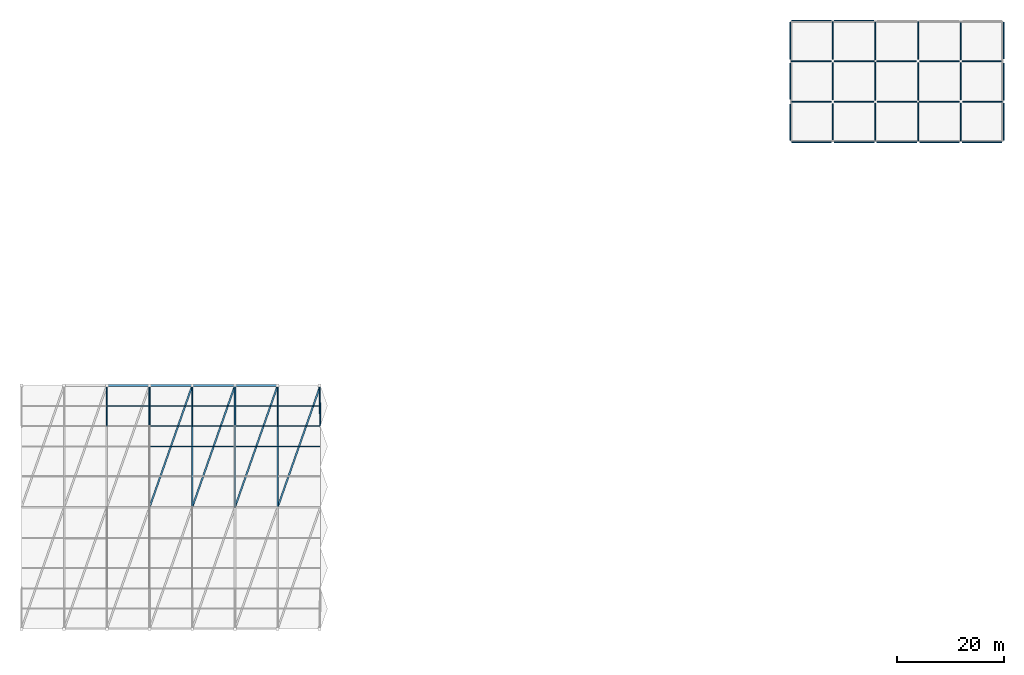
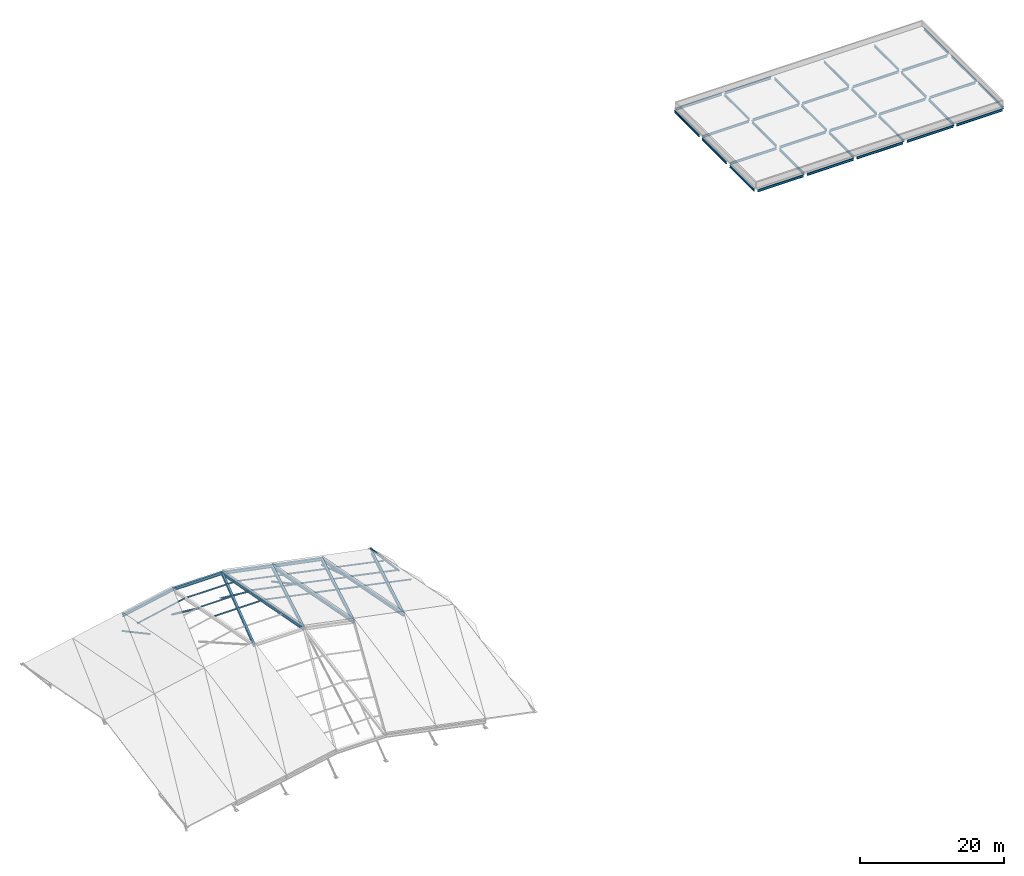
# One storey, part 2 of 9: 46 beams, 19 members.
"""IFC4 building model written with IfcOpenShell, lengths in metres."""

from ifc_helpers import new_model, si_unit, direction, frame, origin, origin_2d, place, context, subcontext, project, spatial, hollow_circle, i_section, extrude, material, material_profile, profile_set, type_object, element, save


model = new_model("IFC4")

# Units and contexts
model_context = context("Model", 3, precision=1e-05, world=origin(), true_north=direction((0.0, 1.0)))
body_context = subcontext(model_context, "Body", "Model", "MODEL_VIEW")
ifc_project = project(units=[si_unit("LENGTHUNIT", "METRE"), si_unit("AREAUNIT", "SQUARE_METRE"), si_unit("VOLUMEUNIT", "CUBIC_METRE"), si_unit("PLANEANGLEUNIT", "RADIAN"), si_unit("MASSUNIT", "GRAM", prefix="KILO")], contexts=[model_context])

# Site, building, storey
site_placement = place(None, origin())
site = spatial("IfcSite", under=ifc_project, at=site_placement, CompositionType="ELEMENT")
building_placement = place(site_placement, origin())
building = spatial("IfcBuilding", under=site, at=building_placement, Name="Khelvaren Railside Concert Hall", CompositionType="ELEMENT")
storey_placement = place(building_placement, frame((0.0, 0.0, 29.39990234375)))
storey = spatial("IfcBuildingStorey", under=building, at=storey_placement, Name="ROOF", CompositionType="ELEMENT", Elevation=29.39990234375)

# Beams
ifc_material = material(Name="Steel S355", Category="steel")
ifc_material_profile_1 = material_profile(ifc_material, i_section(OverallWidth=0.179931640625, OverallDepth=0.39990234375, WebThickness=0.008544921875, FlangeThickness=0.013427734375, FilletRadius=0.02099609375, at=origin_2d()), Name="IPE 400")
ifc_profile_set_1 = profile_set([ifc_material_profile_1], Name="Steel S355")
beam_type_1 = type_object("IfcBeamType", Name="BM29", PredefinedType="BEAM", material=ifc_profile_set_1)
beam_1_placement = place(storey_placement, frame((144.35009765625, 91.199951171875, -0.449951171875), z_axis=(1.0, 0.0, 0.0), x_axis=(0.0, 1.0, 0.0)))
element("IfcBeam", 1, at=beam_1_placement, inside=storey, type_object=beam_type_1, Name="V5-TOP Roof Beam X (144-152)", PredefinedType="BEAM", context=body_context, shape_type="SweptSolid", body=[
    extrude(i_section(OverallWidth=0.179931640625, OverallDepth=0.39990234375, WebThickness=0.008544921875, FlangeThickness=0.013427734375, FilletRadius=0.02099609375, at=origin_2d()), origin(), (0.0, 0.0, 1.0), 7.349853515625),
])
for number, where, z_axis, x_axis, name in (
    (2, (152.300048828125, 91.199951171875, -0.449951171875), (1.0, 0.0, 0.0), (0.0, 1.0, 0.0), "V5-TOP Roof Beam X (152-160)"),
    (3, (160.25, 91.199951171875, -0.449951171875), (1.0, 0.0, 0.0), (0.0, 1.0, 0.0), "V5-TOP Roof Beam X (160-168)"),
    (4, (168.300048828125, 91.199951171875, -0.449951171875), (1.0, 0.0, 0.0), (0.0, 1.0, 0.0), "V5-TOP Roof Beam X (168-176)"),
):
    element("IfcBeam", number, at=place(storey_placement, frame(where, z_axis=z_axis, x_axis=x_axis)), inside=storey, type_object=beam_type_1, Name=name, PredefinedType="BEAM", context=body_context, shape_type="SweptSolid", body=[
        extrude(i_section(OverallWidth=0.179931640625, OverallDepth=0.39990234375, WebThickness=0.008544921875, FlangeThickness=0.013427734375, FilletRadius=0.02099609375, at=origin_2d()), origin(), (0.0, 0.0, 1.0), 7.449951171875),
    ])
beam_2_placement = place(storey_placement, frame((176.25, 91.199951171875, -0.449951171875), z_axis=(1.0, 0.0, 0.0), x_axis=(0.0, 1.0, 0.0)))
element("IfcBeam", 5, at=beam_2_placement, inside=storey, type_object=beam_type_1, Name="V5-TOP Roof Beam X (176-184)", PredefinedType="BEAM", context=body_context, shape_type="SweptSolid", body=[
    extrude(i_section(OverallWidth=0.179931640625, OverallDepth=0.39990234375, WebThickness=0.008544921875, FlangeThickness=0.013427734375, FilletRadius=0.02099609375, at=origin_2d()), origin(), (0.0, 0.0, 1.0), 7.4140625),
])
for number, where, z_axis, x_axis, name in (
    (6, (144.300048828125, 98.800048828125, -0.449951171875), (1.0, 0.0, 0.0), (0.0, 1.0, 0.0), "V5-TOP Roof Beam X (144-152)"),
    (7, (152.25, 98.800048828125, -0.449951171875), (1.0, 0.0, 0.0), (0.0, 1.0, 0.0), "V5-TOP Roof Beam X (152-160)"),
    (8, (160.300048828125, 98.800048828125, -0.449951171875), (1.0, 0.0, 0.0), (0.0, 1.0, 0.0), "V5-TOP Roof Beam X (160-168)"),
):
    element("IfcBeam", number, at=place(storey_placement, frame(where, z_axis=z_axis, x_axis=x_axis)), inside=storey, type_object=beam_type_1, Name=name, PredefinedType="BEAM", context=body_context, shape_type="SweptSolid", body=[
        extrude(i_section(OverallWidth=0.179931640625, OverallDepth=0.39990234375, WebThickness=0.008544921875, FlangeThickness=0.013427734375, FilletRadius=0.02099609375, at=origin_2d()), origin(), (0.0, 0.0, 1.0), 7.449951171875),
    ])
beam_3_placement = place(storey_placement, frame((168.25, 98.800048828125, -0.449951171875), z_axis=(1.0, 0.0, 0.0), x_axis=(0.0, 1.0, 0.0)))
element("IfcBeam", 9, at=beam_3_placement, inside=storey, type_object=beam_type_1, Name="V5-TOP Roof Beam X (168-176)", PredefinedType="BEAM", context=body_context, shape_type="SweptSolid", body=[
    extrude(i_section(OverallWidth=0.179931640625, OverallDepth=0.39990234375, WebThickness=0.008544921875, FlangeThickness=0.013427734375, FilletRadius=0.02099609375, at=origin_2d()), origin(), (0.0, 0.0, 1.0), 7.4140625),
])
beam_4_placement = place(storey_placement, frame((176.3359375, 98.800048828125, -0.449951171875), z_axis=(1.0, 0.0, 0.0), x_axis=(0.0, 1.0, 0.0)))
element("IfcBeam", 10, at=beam_4_placement, inside=storey, type_object=beam_type_1, Name="V5-TOP Roof Beam X (176-184)", PredefinedType="BEAM", context=body_context, shape_type="SweptSolid", body=[
    extrude(i_section(OverallWidth=0.179931640625, OverallDepth=0.39990234375, WebThickness=0.008544921875, FlangeThickness=0.013427734375, FilletRadius=0.02099609375, at=origin_2d()), origin(), (0.0, 0.0, 1.0), 7.39111328125),
])
for number, where, z_axis, x_axis, name in (
    (11, (144.25, 106.39990234375, -0.449951171875), (1.0, 0.0, 0.0), (0.0, 1.0, 0.0), "V5-TOP Roof Beam X (144-152)"),
    (12, (152.300048828125, 106.39990234375, -0.449951171875), (1.0, 0.0, 0.0), (0.0, 1.0, 0.0), "V5-TOP Roof Beam X (152-160)"),
):
    element("IfcBeam", number, at=place(storey_placement, frame(where, z_axis=z_axis, x_axis=x_axis)), inside=storey, type_object=beam_type_1, Name=name, PredefinedType="BEAM", context=body_context, shape_type="SweptSolid", body=[
        extrude(i_section(OverallWidth=0.179931640625, OverallDepth=0.39990234375, WebThickness=0.008544921875, FlangeThickness=0.013427734375, FilletRadius=0.02099609375, at=origin_2d()), origin(), (0.0, 0.0, 1.0), 7.449951171875),
    ])
beam_5_placement = place(storey_placement, frame((160.25, 106.39990234375, -0.449951171875), z_axis=(1.0, 0.0, 0.0), x_axis=(0.0, 1.0, 0.0)))
element("IfcBeam", 13, at=beam_5_placement, inside=storey, type_object=beam_type_1, Name="V5-TOP Roof Beam X (160-168)", PredefinedType="BEAM", context=body_context, shape_type="SweptSolid", body=[
    extrude(i_section(OverallWidth=0.179931640625, OverallDepth=0.39990234375, WebThickness=0.008544921875, FlangeThickness=0.013427734375, FilletRadius=0.02099609375, at=origin_2d()), origin(), (0.0, 0.0, 1.0), 7.4140625),
])
beam_6_placement = place(storey_placement, frame((168.3359375, 106.39990234375, -0.449951171875), z_axis=(1.0, 0.0, 0.0), x_axis=(0.0, 1.0, 0.0)))
element("IfcBeam", 14, at=beam_6_placement, inside=storey, type_object=beam_type_1, Name="V5-TOP Roof Beam X (168-176)", PredefinedType="BEAM", context=body_context, shape_type="SweptSolid", body=[
    extrude(i_section(OverallWidth=0.179931640625, OverallDepth=0.39990234375, WebThickness=0.008544921875, FlangeThickness=0.013427734375, FilletRadius=0.02099609375, at=origin_2d()), origin(), (0.0, 0.0, 1.0), 7.39111328125),
])
beam_7_placement = place(storey_placement, frame((176.27294921875, 106.39990234375, -0.449951171875), z_axis=(1.0, 0.0, 0.0), x_axis=(0.0, 1.0, 0.0)))
element("IfcBeam", 15, at=beam_7_placement, inside=storey, type_object=beam_type_1, Name="V5-TOP Roof Beam X (176-184)", PredefinedType="BEAM", context=body_context, shape_type="SweptSolid", body=[
    extrude(i_section(OverallWidth=0.179931640625, OverallDepth=0.39990234375, WebThickness=0.008544921875, FlangeThickness=0.013427734375, FilletRadius=0.02099609375, at=origin_2d()), origin(), (0.0, 0.0, 1.0), 7.3271484375),
])
beam_8_placement = place(storey_placement, frame((144.300048828125, 114.0, -0.449951171875), z_axis=(1.0, 0.0, 0.0), x_axis=(0.0, 1.0, 0.0)))
element("IfcBeam", 16, at=beam_8_placement, inside=storey, type_object=beam_type_1, Name="V5-TOP Roof Beam X (144-152)", PredefinedType="BEAM", context=body_context, shape_type="SweptSolid", body=[
    extrude(i_section(OverallWidth=0.179931640625, OverallDepth=0.39990234375, WebThickness=0.008544921875, FlangeThickness=0.013427734375, FilletRadius=0.02099609375, at=origin_2d()), origin(), (0.0, 0.0, 1.0), 7.449951171875),
])
beam_9_placement = place(storey_placement, frame((152.25, 114.0, -0.449951171875), z_axis=(1.0, 0.0, 0.0), x_axis=(0.0, 1.0, 0.0)))
element("IfcBeam", 17, at=beam_9_placement, inside=storey, type_object=beam_type_1, Name="V5-TOP Roof Beam X (152-160)", PredefinedType="BEAM", context=body_context, shape_type="SweptSolid", body=[
    extrude(i_section(OverallWidth=0.179931640625, OverallDepth=0.39990234375, WebThickness=0.008544921875, FlangeThickness=0.013427734375, FilletRadius=0.02099609375, at=origin_2d()), origin(), (0.0, 0.0, 1.0), 7.4140625),
])
beam_10_placement = place(storey_placement, frame((144.0, 91.550048828125, -0.449951171875), z_axis=(0.0, 1.0, 0.0), x_axis=(-1.0, 0.0, 0.0)))
element("IfcBeam", 18, at=beam_10_placement, inside=storey, type_object=beam_type_1, Name="V5-TOP Roof Beam Y (91.2-98.8)", PredefinedType="BEAM", context=body_context, shape_type="SweptSolid", body=[
    extrude(i_section(OverallWidth=0.179931640625, OverallDepth=0.39990234375, WebThickness=0.008544921875, FlangeThickness=0.013427734375, FilletRadius=0.02099609375, at=origin_2d()), origin(), (0.0, 0.0, 1.0), 6.800048828125),
])
beam_11_placement = place(storey_placement, frame((144.0, 99.25, -0.449951171875), z_axis=(0.0, 1.0, 0.0), x_axis=(-1.0, 0.0, 0.0)))
element("IfcBeam", 19, at=beam_11_placement, inside=storey, type_object=beam_type_1, Name="V5-TOP Roof Beam Y (98.8-106.4)", PredefinedType="BEAM", context=body_context, shape_type="SweptSolid", body=[
    extrude(i_section(OverallWidth=0.179931640625, OverallDepth=0.39990234375, WebThickness=0.008544921875, FlangeThickness=0.013427734375, FilletRadius=0.02099609375, at=origin_2d()), origin(), (0.0, 0.0, 1.0), 6.77490234375),
])
beam_12_placement = place(storey_placement, frame((144.0, 106.77490234375, -0.449951171875), z_axis=(0.0, 1.0, 0.0), x_axis=(-1.0, 0.0, 0.0)))
element("IfcBeam", 20, at=beam_12_placement, inside=storey, type_object=beam_type_1, Name="V5-TOP Roof Beam Y (106.4-114.0)", PredefinedType="BEAM", context=body_context, shape_type="SweptSolid", body=[
    extrude(i_section(OverallWidth=0.179931640625, OverallDepth=0.39990234375, WebThickness=0.008544921875, FlangeThickness=0.013427734375, FilletRadius=0.02099609375, at=origin_2d()), origin(), (0.0, 0.0, 1.0), 6.925048828125),
])
beam_13_placement = place(storey_placement, frame((152.0, 91.64990234375, -0.449951171875), z_axis=(0.0, 1.0, 0.0), x_axis=(-1.0, 0.0, 0.0)))
element("IfcBeam", 21, at=beam_13_placement, inside=storey, type_object=beam_type_1, Name="V5-TOP Roof Beam Y (91.2-98.8)", PredefinedType="BEAM", context=body_context, shape_type="SweptSolid", body=[
    extrude(i_section(OverallWidth=0.179931640625, OverallDepth=0.39990234375, WebThickness=0.008544921875, FlangeThickness=0.013427734375, FilletRadius=0.02099609375, at=origin_2d()), origin(), (0.0, 0.0, 1.0), 6.775146484375),
])
beam_14_placement = place(storey_placement, frame((152.0, 99.175048828125, -0.449951171875), z_axis=(0.0, 1.0, 0.0), x_axis=(-1.0, 0.0, 0.0)))
element("IfcBeam", 22, at=beam_14_placement, inside=storey, type_object=beam_type_1, Name="V5-TOP Roof Beam Y (98.8-106.4)", PredefinedType="BEAM", context=body_context, shape_type="SweptSolid", body=[
    extrude(i_section(OverallWidth=0.179931640625, OverallDepth=0.39990234375, WebThickness=0.008544921875, FlangeThickness=0.013427734375, FilletRadius=0.02099609375, at=origin_2d()), origin(), (0.0, 0.0, 1.0), 6.925048828125),
])
beam_15_placement = place(storey_placement, frame((152.0, 106.699951171875, -0.449951171875), z_axis=(0.0, 1.0, 0.0), x_axis=(-1.0, 0.0, 0.0)))
element("IfcBeam", 23, at=beam_15_placement, inside=storey, type_object=beam_type_1, Name="V5-TOP Roof Beam Y (106.4-114.0)", PredefinedType="BEAM", context=body_context, shape_type="SweptSolid", body=[
    extrude(i_section(OverallWidth=0.179931640625, OverallDepth=0.39990234375, WebThickness=0.008544921875, FlangeThickness=0.013427734375, FilletRadius=0.02099609375, at=origin_2d()), origin(), (0.0, 0.0, 1.0), 7.050048828125),
])
beam_16_placement = place(storey_placement, frame((160.0, 91.574951171875, -0.449951171875), z_axis=(0.0, 1.0, 0.0), x_axis=(-1.0, 0.0, 0.0)))
element("IfcBeam", 24, at=beam_16_placement, inside=storey, type_object=beam_type_1, Name="V5-TOP Roof Beam Y (91.2-98.8)", PredefinedType="BEAM", context=body_context, shape_type="SweptSolid", body=[
    extrude(i_section(OverallWidth=0.179931640625, OverallDepth=0.39990234375, WebThickness=0.008544921875, FlangeThickness=0.013427734375, FilletRadius=0.02099609375, at=origin_2d()), origin(), (0.0, 0.0, 1.0), 6.925048828125),
])
beam_17_placement = place(storey_placement, frame((160.0, 99.10009765625, -0.449951171875), z_axis=(0.0, 1.0, 0.0), x_axis=(-1.0, 0.0, 0.0)))
element("IfcBeam", 25, at=beam_17_placement, inside=storey, type_object=beam_type_1, Name="V5-TOP Roof Beam Y (98.8-106.4)", PredefinedType="BEAM", context=body_context, shape_type="SweptSolid", body=[
    extrude(i_section(OverallWidth=0.179931640625, OverallDepth=0.39990234375, WebThickness=0.008544921875, FlangeThickness=0.013427734375, FilletRadius=0.02099609375, at=origin_2d()), origin(), (0.0, 0.0, 1.0), 7.0498046875),
])
beam_18_placement = place(storey_placement, frame((160.0, 106.64990234375, -0.449951171875), z_axis=(0.0, 1.0, 0.0), x_axis=(-1.0, 0.0, 0.0)))
element("IfcBeam", 26, at=beam_18_placement, inside=storey, type_object=beam_type_1, Name="V5-TOP Roof Beam Y (106.4-114.0)", PredefinedType="BEAM", context=body_context, shape_type="SweptSolid", body=[
    extrude(i_section(OverallWidth=0.179931640625, OverallDepth=0.39990234375, WebThickness=0.008544921875, FlangeThickness=0.013427734375, FilletRadius=0.02099609375, at=origin_2d()), origin(), (0.0, 0.0, 1.0), 7.01416015625),
])
beam_19_placement = place(storey_placement, frame((168.0, 91.5, -0.449951171875), z_axis=(0.0, 1.0, 0.0), x_axis=(-1.0, 0.0, 0.0)))
element("IfcBeam", 27, at=beam_19_placement, inside=storey, type_object=beam_type_1, Name="V5-TOP Roof Beam Y (91.2-98.8)", PredefinedType="BEAM", context=body_context, shape_type="SweptSolid", body=[
    extrude(i_section(OverallWidth=0.179931640625, OverallDepth=0.39990234375, WebThickness=0.008544921875, FlangeThickness=0.013427734375, FilletRadius=0.02099609375, at=origin_2d()), origin(), (0.0, 0.0, 1.0), 7.050048828125),
])
beam_20_placement = place(storey_placement, frame((168.0, 99.050048828125, -0.449951171875), z_axis=(0.0, 1.0, 0.0), x_axis=(-1.0, 0.0, 0.0)))
element("IfcBeam", 28, at=beam_20_placement, inside=storey, type_object=beam_type_1, Name="V5-TOP Roof Beam Y (98.8-106.4)", PredefinedType="BEAM", context=body_context, shape_type="SweptSolid", body=[
    extrude(i_section(OverallWidth=0.179931640625, OverallDepth=0.39990234375, WebThickness=0.008544921875, FlangeThickness=0.013427734375, FilletRadius=0.02099609375, at=origin_2d()), origin(), (0.0, 0.0, 1.0), 7.013916015625),
])
beam_21_placement = place(storey_placement, frame((168.0, 106.736083984375, -0.449951171875), z_axis=(0.0, 1.0, 0.0), x_axis=(-1.0, 0.0, 0.0)))
element("IfcBeam", 29, at=beam_21_placement, inside=storey, type_object=beam_type_1, Name="V5-TOP Roof Beam Y (106.4-114.0)", PredefinedType="BEAM", context=body_context, shape_type="SweptSolid", body=[
    extrude(i_section(OverallWidth=0.179931640625, OverallDepth=0.39990234375, WebThickness=0.008544921875, FlangeThickness=0.013427734375, FilletRadius=0.02099609375, at=origin_2d()), origin(), (0.0, 0.0, 1.0), 6.990966796875),
])
beam_22_placement = place(storey_placement, frame((176.0, 91.449951171875, -0.449951171875), z_axis=(0.0, 1.0, 0.0), x_axis=(-1.0, 0.0, 0.0)))
element("IfcBeam", 30, at=beam_22_placement, inside=storey, type_object=beam_type_1, Name="V5-TOP Roof Beam Y (91.2-98.8)", PredefinedType="BEAM", context=body_context, shape_type="SweptSolid", body=[
    extrude(i_section(OverallWidth=0.179931640625, OverallDepth=0.39990234375, WebThickness=0.008544921875, FlangeThickness=0.013427734375, FilletRadius=0.02099609375, at=origin_2d()), origin(), (0.0, 0.0, 1.0), 7.01416015625),
])
beam_23_placement = place(storey_placement, frame((176.0, 99.135986328125, -0.449951171875), z_axis=(0.0, 1.0, 0.0), x_axis=(-1.0, 0.0, 0.0)))
element("IfcBeam", 31, at=beam_23_placement, inside=storey, type_object=beam_type_1, Name="V5-TOP Roof Beam Y (98.8-106.4)", PredefinedType="BEAM", context=body_context, shape_type="SweptSolid", body=[
    extrude(i_section(OverallWidth=0.179931640625, OverallDepth=0.39990234375, WebThickness=0.008544921875, FlangeThickness=0.013427734375, FilletRadius=0.02099609375, at=origin_2d()), origin(), (0.0, 0.0, 1.0), 6.990966796875),
])
beam_24_placement = place(storey_placement, frame((176.0, 106.673095703125, -0.449951171875), z_axis=(0.0, 1.0, 0.0), x_axis=(-1.0, 0.0, 0.0)))
element("IfcBeam", 32, at=beam_24_placement, inside=storey, type_object=beam_type_1, Name="V5-TOP Roof Beam Y (106.4-114.0)", PredefinedType="BEAM", context=body_context, shape_type="SweptSolid", body=[
    extrude(i_section(OverallWidth=0.179931640625, OverallDepth=0.39990234375, WebThickness=0.008544921875, FlangeThickness=0.013427734375, FilletRadius=0.02099609375, at=origin_2d()), origin(), (0.0, 0.0, 1.0), 6.927001953125),
])
beam_25_placement = place(storey_placement, frame((184.0, 91.535888671875, -0.449951171875), z_axis=(0.0, 1.0, 0.0), x_axis=(-1.0, 0.0, 0.0)))
element("IfcBeam", 33, at=beam_25_placement, inside=storey, type_object=beam_type_1, Name="V5-TOP Roof Beam Y (91.2-98.8)", PredefinedType="BEAM", context=body_context, shape_type="SweptSolid", body=[
    extrude(i_section(OverallWidth=0.179931640625, OverallDepth=0.39990234375, WebThickness=0.008544921875, FlangeThickness=0.013427734375, FilletRadius=0.02099609375, at=origin_2d()), origin(), (0.0, 0.0, 1.0), 6.9912109375),
])
beam_26_placement = place(storey_placement, frame((184.0, 99.072998046875, -0.449951171875), z_axis=(0.0, 1.0, 0.0), x_axis=(-1.0, 0.0, 0.0)))
element("IfcBeam", 34, at=beam_26_placement, inside=storey, type_object=beam_type_1, Name="V5-TOP Roof Beam Y (98.8-106.4)", PredefinedType="BEAM", context=body_context, shape_type="SweptSolid", body=[
    extrude(i_section(OverallWidth=0.179931640625, OverallDepth=0.39990234375, WebThickness=0.008544921875, FlangeThickness=0.013427734375, FilletRadius=0.02099609375, at=origin_2d()), origin(), (0.0, 0.0, 1.0), 6.927001953125),
])
beam_27_placement = place(storey_placement, frame((184.0, 106.800048828125, -0.449951171875), z_axis=(0.0, 1.0, 0.0), x_axis=(-1.0, 0.0, 0.0)))
element("IfcBeam", 35, at=beam_27_placement, inside=storey, type_object=beam_type_1, Name="V5-TOP Roof Beam Y (106.4-114.0)", PredefinedType="BEAM", context=body_context, shape_type="SweptSolid", body=[
    extrude(i_section(OverallWidth=0.179931640625, OverallDepth=0.39990234375, WebThickness=0.008544921875, FlangeThickness=0.013427734375, FilletRadius=0.02099609375, at=origin_2d()), origin(), (0.0, 0.0, 1.0), 6.849853515625),
])
ifc_material_profile_2 = material_profile(ifc_material, i_section(OverallWidth=0.300048828125, OverallDepth=0.5, WebThickness=0.014404296875, FlangeThickness=0.028076171875, FilletRadius=0.027099609375, at=origin_2d()), Name="HEB 500")
ifc_profile_set_2 = profile_set([ifc_material_profile_2], Name="Steel S355")
beam_type_2 = type_object("IfcBeamType", Name="BM98", PredefinedType="BEAM", material=ifc_profile_set_2)
beam_28_placement = place(storey_placement, frame((16.0, 45.60009765625, 0.045654296875), z_axis=(0.980278058899, 0.0, 0.197623195101), x_axis=(0.0, 1.0, 0.0)))
element("IfcBeam", 36, at=beam_28_placement, inside=storey, type_object=beam_type_2, Name="Main Hall Crystal Roof Beam B3-EAVEN", PredefinedType="BEAM", context=body_context, shape_type="SweptSolid", body=[
    extrude(i_section(OverallWidth=0.300048828125, OverallDepth=0.5, WebThickness=0.014404296875, FlangeThickness=0.028076171875, FilletRadius=0.027099609375, at=origin_2d()), origin(), (0.0, 0.0, 1.0), 8.160888671875),
])
beam_29_placement = place(storey_placement, frame((32.0, 22.800048828125, 6.02001953125), z_axis=(0.0, 0.982190143434, -0.187889654161), x_axis=(-1.0, 0.0, 0.0)))
element("IfcBeam", 37, at=beam_29_placement, inside=storey, type_object=beam_type_2, Name="Main Hall Crystal Roof Beam B4-RAFNE", PredefinedType="BEAM", context=body_context, shape_type="SweptSolid", body=[
    extrude(i_section(OverallWidth=0.300048828125, OverallDepth=0.5, WebThickness=0.014404296875, FlangeThickness=0.028076171875, FilletRadius=0.027099609375, at=origin_2d()), origin(), (0.0, 0.0, 1.0), 23.21337890625),
])
beam_30_placement = place(storey_placement, frame((24.0, 45.60009765625, 1.658447265625), z_axis=(1.0, 0.0, 0.0), x_axis=(0.0, 1.0, 0.0)))
element("IfcBeam", 38, at=beam_30_placement, inside=storey, type_object=beam_type_2, Name="Main Hall Crystal Roof Beam B4-EAVEN", PredefinedType="BEAM", context=body_context, shape_type="SweptSolid", body=[
    extrude(i_section(OverallWidth=0.300048828125, OverallDepth=0.5, WebThickness=0.014404296875, FlangeThickness=0.028076171875, FilletRadius=0.027099609375, at=origin_2d()), origin(), (0.0, 0.0, 1.0), 8.0),
])
beam_31_placement = place(storey_placement, frame((24.0, 22.800048828125, 6.02001953125), z_axis=(0.325821513861, 0.92859330316, -0.1776367598), x_axis=(-0.94360020365, 0.331087081704, 0.0)))
element("IfcBeam", 39, at=beam_31_placement, inside=storey, type_object=beam_type_2, Name="Main Hall Crystal Roof Beam B4-DIAGN", PredefinedType="BEAM", context=body_context, shape_type="SweptSolid", body=[
    extrude(i_section(OverallWidth=0.300048828125, OverallDepth=0.5, WebThickness=0.014404296875, FlangeThickness=0.028076171875, FilletRadius=0.027099609375, at=origin_2d()), origin(), (0.0, 0.0, 1.0), 24.55322265625),
])
beam_32_placement = place(storey_placement, frame((40.0, 22.800048828125, 4.4072265625), z_axis=(0.0, 0.982190143434, -0.187889654161), x_axis=(-1.0, 0.0, 0.0)))
element("IfcBeam", 40, at=beam_32_placement, inside=storey, type_object=beam_type_2, Name="Main Hall Crystal Roof Beam B5-RAFNE", PredefinedType="BEAM", context=body_context, shape_type="SweptSolid", body=[
    extrude(i_section(OverallWidth=0.300048828125, OverallDepth=0.5, WebThickness=0.014404296875, FlangeThickness=0.028076171875, FilletRadius=0.027099609375, at=origin_2d()), origin(), (0.0, 0.0, 1.0), 23.21337890625),
])
beam_33_placement = place(storey_placement, frame((32.0, 45.60009765625, 1.658447265625), z_axis=(0.980278058899, 0.0, -0.197623195101), x_axis=(0.0, 1.0, 0.0)))
element("IfcBeam", 41, at=beam_33_placement, inside=storey, type_object=beam_type_2, Name="Main Hall Crystal Roof Beam B5-EAVEN", PredefinedType="BEAM", context=body_context, shape_type="SweptSolid", body=[
    extrude(i_section(OverallWidth=0.300048828125, OverallDepth=0.5, WebThickness=0.014404296875, FlangeThickness=0.028076171875, FilletRadius=0.027099609375, at=origin_2d()), origin(), (0.0, 0.0, 1.0), 8.160888671875),
])
beam_34_placement = place(storey_placement, frame((32.0, 22.800048828125, 6.02001953125), z_axis=(0.321408213141, 0.916015369171, -0.240026256829), x_axis=(-0.94360020365, 0.331087081704, 0.0)))
element("IfcBeam", 42, at=beam_34_placement, inside=storey, type_object=beam_type_2, Name="Main Hall Crystal Roof Beam B5-DIAGN", PredefinedType="BEAM", context=body_context, shape_type="SweptSolid", body=[
    extrude(i_section(OverallWidth=0.300048828125, OverallDepth=0.5, WebThickness=0.014404296875, FlangeThickness=0.028076171875, FilletRadius=0.027099609375, at=origin_2d()), origin(), (0.0, 0.0, 1.0), 24.890380859375),
])
beam_35_placement = place(storey_placement, frame((48.0, 22.800048828125, 2.79443359375), z_axis=(0.0, 0.982190143434, -0.187889654161), x_axis=(-1.0, 0.0, 0.0)))
element("IfcBeam", 43, at=beam_35_placement, inside=storey, type_object=beam_type_2, Name="Main Hall Crystal Roof Beam B6-RAFNE", PredefinedType="BEAM", context=body_context, shape_type="SweptSolid", body=[
    extrude(i_section(OverallWidth=0.300048828125, OverallDepth=0.5, WebThickness=0.014404296875, FlangeThickness=0.028076171875, FilletRadius=0.027099609375, at=origin_2d()), origin(), (0.0, 0.0, 1.0), 23.21337890625),
])
beam_36_placement = place(storey_placement, frame((40.0, 45.60009765625, 0.045654296875), z_axis=(0.980278058899, 0.0, -0.197623195101), x_axis=(0.0, 1.0, 0.0)))
element("IfcBeam", 44, at=beam_36_placement, inside=storey, type_object=beam_type_2, Name="Main Hall Crystal Roof Beam B6-EAVEN", PredefinedType="BEAM", context=body_context, shape_type="SweptSolid", body=[
    extrude(i_section(OverallWidth=0.300048828125, OverallDepth=0.5, WebThickness=0.014404296875, FlangeThickness=0.028076171875, FilletRadius=0.027099609375, at=origin_2d()), origin(), (0.0, 0.0, 1.0), 8.160888671875),
])
for number, where, z_axis, x_axis, name in (
    (45, (40.0, 22.800048828125, 4.4072265625), (0.321408213141, 0.916015369171, -0.240026256829), (-0.94360020365, 0.331087081704, 0.0), "Main Hall Crystal Roof Beam B6-DIAGN"),
    (46, (48.0, 22.800048828125, 2.79443359375), (0.321408213141, 0.916015369171, -0.240026256829), (-0.94360020365, 0.331087081704, 0.0), "Main Hall Crystal Roof Beam B7-DIAGN"),
):
    element("IfcBeam", number, at=place(storey_placement, frame(where, z_axis=z_axis, x_axis=x_axis)), inside=storey, type_object=beam_type_2, Name=name, PredefinedType="BEAM", context=body_context, shape_type="SweptSolid", body=[
        extrude(i_section(OverallWidth=0.300048828125, OverallDepth=0.5, WebThickness=0.014404296875, FlangeThickness=0.028076171875, FilletRadius=0.027099609375, at=origin_2d()), origin(), (0.0, 0.0, 1.0), 24.890380859375),
    ])

# Members
ifc_material_profile_3 = material_profile(ifc_material, i_section(OverallWidth=0.110107421875, OverallDepth=0.219970703125, WebThickness=0.005859375, FlangeThickness=0.00927734375, FilletRadius=0.011962890625, at=origin_2d()), Name="IPE 220")
ifc_profile_set_3 = profile_set([ifc_material_profile_3], Name="Steel S355")
member_type_1 = type_object("IfcMemberType", Name="PR25", PredefinedType="PURLIN", material=ifc_profile_set_3)
member_1_placement = place(storey_placement, frame((16.14990234375, 41.800048828125, 0.91259765625), z_axis=(0.978761962964, 0.0, 0.205000048426), x_axis=(0.0, 1.0, 0.0)))
element("IfcMember", 47, at=member_1_placement, inside=storey, type_object=member_type_1, Name="Main Hall Crystal Roof Purlin B3.8", PredefinedType="PURLIN", context=body_context, shape_type="SweptSolid", body=[
    extrude(i_section(OverallWidth=0.110107421875, OverallDepth=0.219970703125, WebThickness=0.005859375, FlangeThickness=0.00927734375, FilletRadius=0.011962890625, at=origin_2d()), origin(), (0.0, 0.0, 1.0), 7.8671875),
])
member_2_placement = place(storey_placement, frame((24.14990234375, 38.0, 3.252197265625), z_axis=(1.0, 0.0, 0.0), x_axis=(0.0, 1.0, 0.0)))
element("IfcMember", 48, at=member_2_placement, inside=storey, type_object=member_type_1, Name="Main Hall Crystal Roof Purlin B4.7", PredefinedType="PURLIN", context=body_context, shape_type="SweptSolid", body=[
    extrude(i_section(OverallWidth=0.110107421875, OverallDepth=0.219970703125, WebThickness=0.005859375, FlangeThickness=0.00927734375, FilletRadius=0.011962890625, at=origin_2d()), origin(), (0.0, 0.0, 1.0), 7.7001953125),
])
for number, where, z_axis, x_axis, name in (
    (49, (32.14990234375, 34.199951171875, 3.979248046875), (0.978761962964, 0.0, -0.205000048426), (0.0, 1.0, 0.0), "Main Hall Crystal Roof Purlin B5.6"),
    (50, (32.14990234375, 41.800048828125, 2.525390625), (0.978761962964, 0.0, -0.205000048426), (0.0, 1.0, 0.0), "Main Hall Crystal Roof Purlin B5.8"),
    (51, (40.14990234375, 38.0, 1.639404296875), (0.978768189087, 0.0, -0.204970319877), (0.0, 1.0, 0.0), "Main Hall Crystal Roof Purlin B6.7"),
    (52, (48.14990234375, 34.199951171875, 0.753662109375), (0.978761962964, 0.0, -0.205000048426), (0.0, 1.0, 0.0), "Main Hall Crystal Roof Purlin B7.6"),
    (53, (48.14990234375, 41.800048828125, -0.7001953125), (0.978761962964, 0.0, -0.205000048426), (0.0, 1.0, 0.0), "Main Hall Crystal Roof Purlin B7.8"),
):
    element("IfcMember", number, at=place(storey_placement, frame(where, z_axis=z_axis, x_axis=x_axis)), inside=storey, type_object=member_type_1, Name=name, PredefinedType="PURLIN", context=body_context, shape_type="SweptSolid", body=[
        extrude(i_section(OverallWidth=0.110107421875, OverallDepth=0.219970703125, WebThickness=0.005859375, FlangeThickness=0.00927734375, FilletRadius=0.011962890625, at=origin_2d()), origin(), (0.0, 0.0, 1.0), 7.8671875),
    ])
ifc_material_profile_4 = material_profile(ifc_material, i_section(OverallWidth=0.1201171875, OverallDepth=0.239990234375, WebThickness=0.006103515625, FlangeThickness=0.009765625, FilletRadius=0.014892578125, at=origin_2d()), Name="IPE 240")
ifc_profile_set_4 = profile_set([ifc_material_profile_4], Name="Steel S355")
member_type_2 = type_object("IfcMemberType", Name="PR40", PredefinedType="PURLIN", material=ifc_profile_set_4)
for number, where, z_axis, x_axis, name in (
    (54, (24.14990234375, 34.199951171875, 3.979248046875), (1.0, 0.0, 0.0), (0.0, 1.0, 0.0), "Main Hall Crystal Roof Purlin B4.6"),
    (55, (24.14990234375, 41.800048828125, 2.525390625), (1.0, 0.0, 0.0), (0.0, 1.0, 0.0), "Main Hall Crystal Roof Purlin B4.8"),
):
    element("IfcMember", number, at=place(storey_placement, frame(where, z_axis=z_axis, x_axis=x_axis)), inside=storey, type_object=member_type_2, Name=name, PredefinedType="PURLIN", context=body_context, shape_type="SweptSolid", body=[
        extrude(i_section(OverallWidth=0.1201171875, OverallDepth=0.239990234375, WebThickness=0.006103515625, FlangeThickness=0.009765625, FilletRadius=0.014892578125, at=origin_2d()), origin(), (0.0, 0.0, 1.0), 7.7001953125),
    ])
for number, where, z_axis, x_axis, name in (
    (56, (32.14990234375, 38.0, 3.252197265625), (0.978761962964, 0.0, -0.205000048426), (0.0, 1.0, 0.0), "Main Hall Crystal Roof Purlin B5.7"),
    (57, (40.14990234375, 34.199951171875, 2.366455078125), (0.978761962964, 0.0, -0.205000048426), (0.0, 1.0, 0.0), "Main Hall Crystal Roof Purlin B6.6"),
    (58, (40.14990234375, 41.800048828125, 0.91259765625), (0.978761962964, 0.0, -0.205000048426), (0.0, 1.0, 0.0), "Main Hall Crystal Roof Purlin B6.8"),
    (59, (48.14990234375, 38.0, 0.02685546875), (0.978761962964, 0.0, -0.205000048426), (0.0, 1.0, 0.0), "Main Hall Crystal Roof Purlin B7.7"),
):
    element("IfcMember", number, at=place(storey_placement, frame(where, z_axis=z_axis, x_axis=x_axis)), inside=storey, type_object=member_type_2, Name=name, PredefinedType="PURLIN", context=body_context, shape_type="SweptSolid", body=[
        extrude(i_section(OverallWidth=0.1201171875, OverallDepth=0.239990234375, WebThickness=0.006103515625, FlangeThickness=0.009765625, FilletRadius=0.014892578125, at=origin_2d()), origin(), (0.0, 0.0, 1.0), 7.8671875),
    ])
ifc_material_profile_5 = material_profile(ifc_material, hollow_circle(Radius=0.161865234375, WallThickness=0.01611328125, at=origin_2d()), Name="CHS 323.9x16")
ifc_profile_set_5 = profile_set([ifc_material_profile_5], Name="Steel S355")
member_type_3 = type_object("IfcMemberType", Name="RSU41", PredefinedType="STRUT", material=ifc_profile_set_5)
member_3_placement = place(storey_placement, frame((24.0, 45.60009765625, -2.599853515625), z_axis=(0.0, -0.799389451668, 0.60081320272), x_axis=(1.0, 0.0, 0.0)))
element("IfcMember", 60, at=member_3_placement, inside=storey, type_object=member_type_3, Name="Main Hall Crystal Raking Strut B4-N", PredefinedType="STRUT", context=body_context, shape_type="SweptSolid", body=[
    extrude(hollow_circle(Radius=0.161865234375, WallThickness=0.01611328125, at=origin_2d()), origin(), (0.0, 0.0, 1.0), 9.50732421875),
])
member_4_placement = place(storey_placement, frame((40.0, 45.60009765625, -2.599853515625), z_axis=(0.0, -0.8801322502, 0.474728577356), x_axis=(1.0, 0.0, 0.0)))
element("IfcMember", 61, at=member_4_placement, inside=storey, type_object=member_type_3, Name="Main Hall Crystal Raking Strut B6-N", PredefinedType="STRUT", context=body_context, shape_type="SweptSolid", body=[
    extrude(hollow_circle(Radius=0.161865234375, WallThickness=0.01611328125, at=origin_2d()), origin(), (0.0, 0.0, 1.0), 8.63525390625),
])
member_5_placement = place(storey_placement, frame((55.85009765625, 45.60009765625, -2.599853515625), z_axis=(0.019590902724, -0.993265149531, 0.114195180539), x_axis=(0.999805543791, 0.019719903755, 0.0)))
element("IfcMember", 62, at=member_5_placement, inside=storey, type_object=member_type_3, Name="Main Hall Crystal Raking Strut End-NE", PredefinedType="STRUT", context=body_context, shape_type="SweptSolid", body=[
    extrude(hollow_circle(Radius=0.161865234375, WallThickness=0.01611328125, at=origin_2d()), origin(), (0.0, 0.0, 1.0), 7.651611328125),
])
ifc_material_profile_6 = material_profile(ifc_material, hollow_circle(Radius=0.136474609375, WallThickness=0.01611328125, at=origin_2d()), Name="CHS 273x16")
ifc_profile_set_6 = profile_set([ifc_material_profile_6], Name="Steel S355")
member_type_4 = type_object("IfcMemberType", Name="RSU43", PredefinedType="STRUT", material=ifc_profile_set_6)
member_6_placement = place(storey_placement, frame((16.0, 45.60009765625, -2.599853515625), z_axis=(0.0, -0.8801322502, 0.474728577356), x_axis=(1.0, 0.0, 0.0)))
element("IfcMember", 63, at=member_6_placement, inside=storey, type_object=member_type_4, Name="Main Hall Crystal Raking Strut B3-N", PredefinedType="STRUT", context=body_context, shape_type="SweptSolid", body=[
    extrude(hollow_circle(Radius=0.136474609375, WallThickness=0.01611328125, at=origin_2d()), origin(), (0.0, 0.0, 1.0), 8.63525390625),
])
member_7_placement = place(storey_placement, frame((32.0, 45.60009765625, -2.599853515625), z_axis=(0.0, -0.799389451668, 0.60081320272), x_axis=(1.0, 0.0, 0.0)))
element("IfcMember", 64, at=member_7_placement, inside=storey, type_object=member_type_4, Name="Main Hall Crystal Raking Strut B5-N", PredefinedType="STRUT", context=body_context, shape_type="SweptSolid", body=[
    extrude(hollow_circle(Radius=0.136474609375, WallThickness=0.01611328125, at=origin_2d()), origin(), (0.0, 0.0, 1.0), 9.50732421875),
])
member_8_placement = place(storey_placement, frame((48.0, 45.60009765625, -2.599853515625), z_axis=(0.0, -0.950424201142, 0.310956327936), x_axis=(1.0, 0.0, 0.0)))
element("IfcMember", 65, at=member_8_placement, inside=storey, type_object=member_type_4, Name="Main Hall Crystal Raking Strut B7-N", PredefinedType="STRUT", context=body_context, shape_type="SweptSolid", body=[
    extrude(hollow_circle(Radius=0.136474609375, WallThickness=0.01611328125, at=origin_2d()), origin(), (0.0, 0.0, 1.0), 7.99658203125),
])

save(model, "model.ifc")
